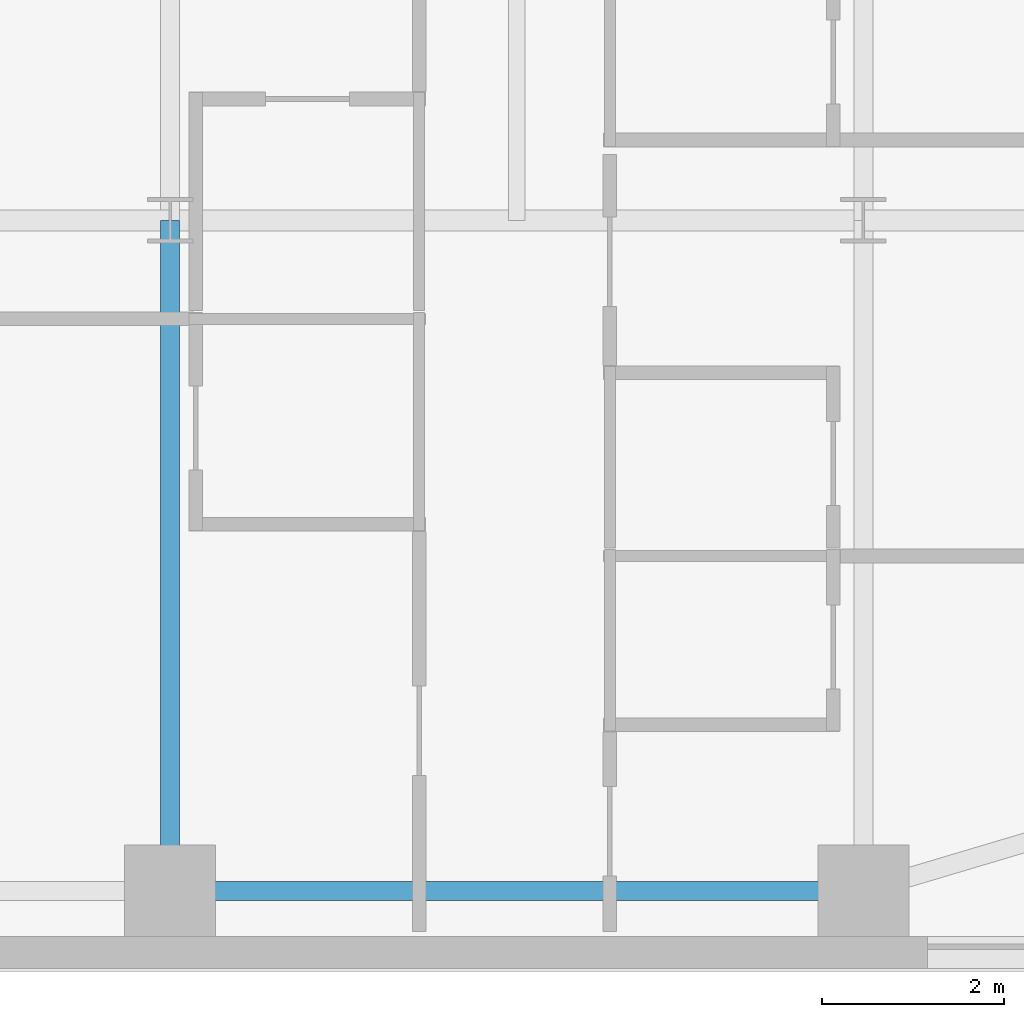
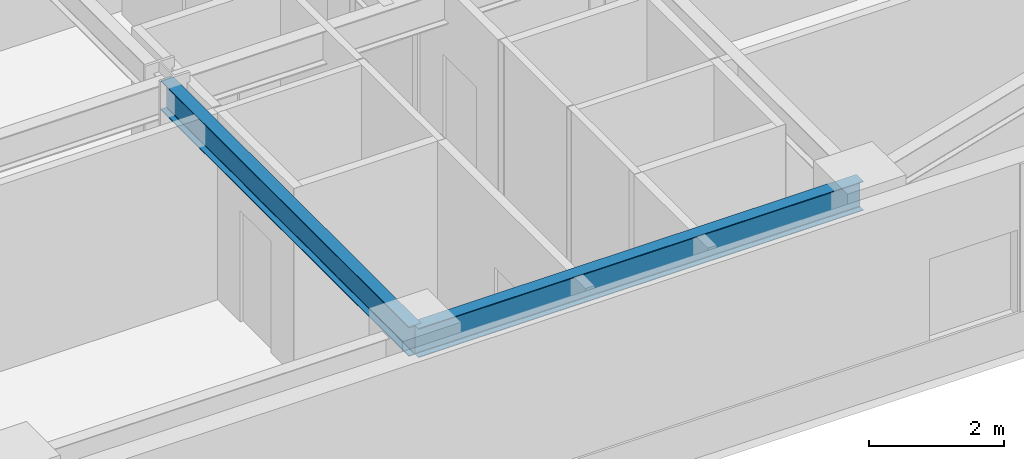
# One storey, part 8 of 25: 2 beams.
"""IFC4 building model written with IfcOpenShell, lengths in metres."""

from ifc_helpers import new_model, si_unit, direction, frame, origin, origin_2d, place, context, subcontext, project, spatial, i_section, extrude, source, transform, mapped, material, material_profile, profile_set, type_object, type_shapes, element, save


model = new_model("IFC4")

# Units and contexts
model_context = context("Model", 3, precision=1e-05, world=origin(), true_north=direction((0.0, 1.0)))
body_context = subcontext(model_context, "Body", "Model", "MODEL_VIEW")
ifc_project = project(units=[si_unit("LENGTHUNIT", "METRE"), si_unit("AREAUNIT", "SQUARE_METRE"), si_unit("VOLUMEUNIT", "CUBIC_METRE"), si_unit("PLANEANGLEUNIT", "RADIAN"), si_unit("MASSUNIT", "GRAM", prefix="KILO")], contexts=[model_context])

# Site, building, storey
site_placement = place(None, origin())
site = spatial("IfcSite", under=ifc_project, at=site_placement, CompositionType="ELEMENT")
building_placement = place(site_placement, origin())
building = spatial("IfcBuilding", under=site, at=building_placement, Name="Tolvann Quenvar Hotel", CompositionType="ELEMENT")
storey_placement = place(building_placement, frame((0.0, 0.0, 39.10009765625)))
storey = spatial("IfcBuildingStorey", under=building, at=storey_placement, Name="L08", CompositionType="ELEMENT", Elevation=39.10009765625)

# Beams
ifc_material = material(Name="Steel Grade 350", Category="steel")
ifc_material_profile_1 = material_profile(ifc_material, i_section(OverallWidth=0.208984375, OverallDepth=0.528076171875, WebThickness=0.009521484375, FlangeThickness=0.01318359375, FilletRadius=0.013916015625, at=origin_2d()), Name="530UB82")
ifc_profile_set_1 = profile_set([ifc_material_profile_1], Name="Steel Grade 350")
beam_type_1 = type_object("IfcBeamType", Name="BM_SPAND_530UB82", PredefinedType="SPANDREL", material=ifc_profile_set_1)
shared_shape_1 = source(origin(), body_context, "Body", "SweptSolid", [
    extrude(i_section(OverallWidth=0.208984375, OverallDepth=0.528076171875, WebThickness=0.009521484375, FlangeThickness=0.01318359375, FilletRadius=0.013916015625, at=origin_2d()), origin(), (0.0, 0.0, 1.0), 7.599853515625),
])
type_shapes(beam_type_1, [shared_shape_1])
beam_1_placement = place(storey_placement, frame((41.800048828125, 0.85009765625, 3.10595703125), z_axis=(1.0, 0.0, 0.0), x_axis=(0.0, 1.0, 0.0)))
element("IfcBeam", 1, at=beam_1_placement, inside=storey, type_object=beam_type_1, Name="BM-L08-EW-2-H2-I2", PredefinedType="SPANDREL", context=body_context, shape_type="MappedRepresentation", body=[
    mapped(shared_shape_1, transform((0.0, 0.0, 0.0), x_axis=(1.0, 0.0, 0.0), y_axis=(0.0, 1.0, 0.0), z_axis=(0.0, 0.0, 1.0), scale=1.0)),
])
ifc_material_profile_2 = material_profile(ifc_material, i_section(OverallWidth=0.208984375, OverallDepth=0.532958984375, WebThickness=0.01025390625, FlangeThickness=0.015625, FilletRadius=0.013916015625, at=origin_2d()), Name="530UB92")
ifc_profile_set_2 = profile_set([ifc_material_profile_2], Name="Steel Grade 350")
beam_type_2 = type_object("IfcBeamType", Name="BM_GIRD_530UB92", PredefinedType="BEAM", material=ifc_profile_set_2)
shared_shape_2 = source(origin(), body_context, "Body", "SweptSolid", [
    extrude(i_section(OverallWidth=0.208984375, OverallDepth=0.532958984375, WebThickness=0.01025390625, FlangeThickness=0.015625, FilletRadius=0.013916015625, at=origin_2d()), origin(), (0.0, 0.0, 1.0), 7.349853515625),
])
type_shapes(beam_type_2, [shared_shape_2])
beam_2_placement = place(storey_placement, frame((41.800048828125, 0.85009765625, 3.103515625), z_axis=(0.0, 1.0, 0.0), x_axis=(-1.0, 0.0, 0.0)))
element("IfcBeam", 2, at=beam_2_placement, inside=storey, type_object=beam_type_2, Name="BM-L08-NS-H2-H3", PredefinedType="BEAM", context=body_context, shape_type="MappedRepresentation", body=[
    mapped(shared_shape_2, transform((0.0, 0.0, 0.0), x_axis=(1.0, 0.0, 0.0), y_axis=(0.0, 1.0, 0.0), z_axis=(0.0, 0.0, 1.0), scale=1.0)),
])

save(model, "model.ifc")
